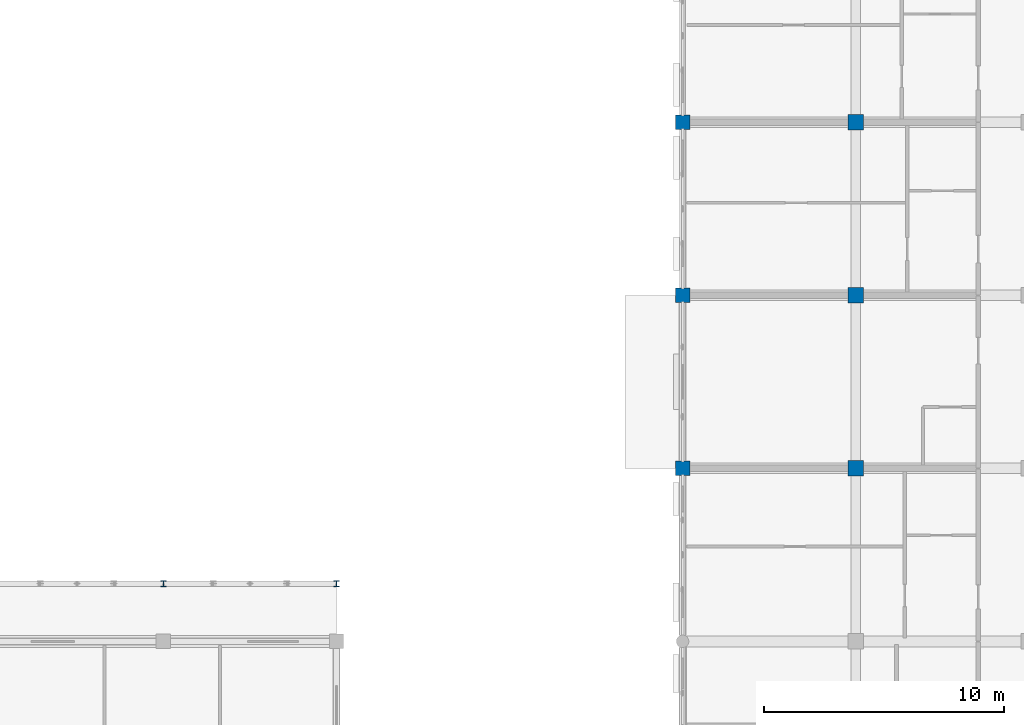
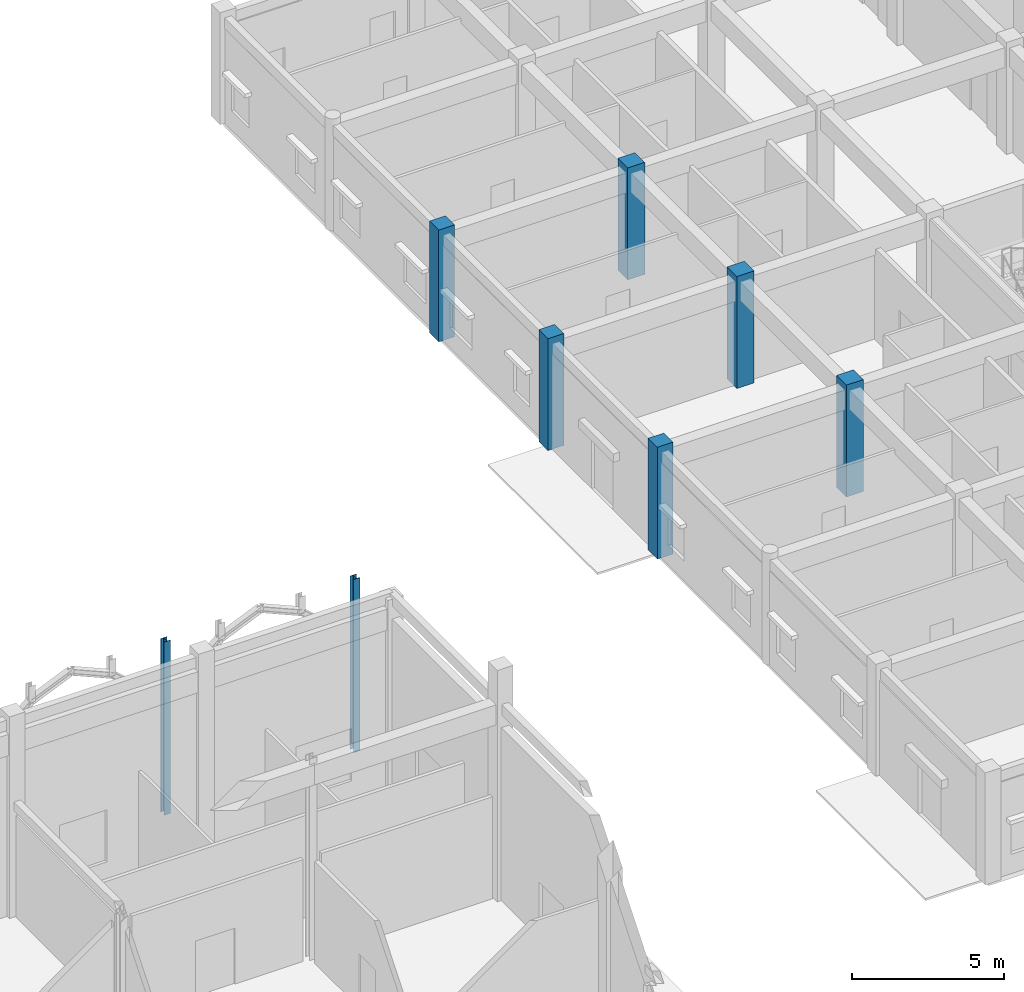
# One storey, part 12 of 138: 8 columns.
"""IFC4 building model written with IfcOpenShell, lengths in metres."""

from ifc_helpers import new_model, si_unit, direction, frame, origin, origin_2d, place, context, subcontext, project, spatial, rectangle, i_section, extrude, material, material_profile, profile_set, type_object, element, save


model = new_model("IFC4")

# Units and contexts
model_context = context("Model", 3, precision=1e-05, world=origin(), true_north=direction((0.0, 1.0)))
body_context = subcontext(model_context, "Body", "Model", "MODEL_VIEW")
ifc_project = project(units=[si_unit("LENGTHUNIT", "METRE"), si_unit("AREAUNIT", "SQUARE_METRE"), si_unit("VOLUMEUNIT", "CUBIC_METRE"), si_unit("PLANEANGLEUNIT", "RADIAN"), si_unit("MASSUNIT", "GRAM", prefix="KILO"), si_unit("THERMODYNAMICTEMPERATUREUNIT", "KELVIN"), si_unit("POWERUNIT", "WATT")], contexts=[model_context])

# Site, building, storey
site_placement = place(None, origin())
site = spatial("IfcSite", under=ifc_project, at=site_placement, CompositionType="ELEMENT")
building_placement = place(site_placement, origin())
building = spatial("IfcBuilding", under=site, at=building_placement, Name="Tavuni Mirador Residences", CompositionType="ELEMENT")
storey_placement = place(building_placement, origin())
storey = spatial("IfcBuildingStorey", under=building, at=storey_placement, Name="L00", CompositionType="ELEMENT", Elevation=0.0)

# Columns
ifc_material_1 = material(Name="Precast concrete C40/50", Category="concrete")
ifc_material_profile_1 = material_profile(ifc_material_1, rectangle(XDim=0.60009765625, YDim=0.60009765625, at=origin_2d()), Name="RC 600x600", Category="concrete")
ifc_profile_set_1 = profile_set([ifc_material_profile_1], Name="Precast concrete C40/50")
column_type_1 = type_object("IfcColumnType", Name="CT-RC600", PredefinedType="COLUMN", material=ifc_profile_set_1)
for number, where, z_axis, x_axis, name in (
    (1, (90.0, 108.0, 0.0), (0.0, 0.0, 1.0), (1.0, 0.0, 0.0), "COL-BLK-D-L00-00-03"),
    (2, (90.0, 115.199951171875, 0.0), (0.0, 0.0, 1.0), (1.0, 0.0, 0.0), "COL-BLK-D-L00-00-04"),
    (3, (90.0, 122.39990234375, 0.0), (0.0, 0.0, 1.0), (1.0, 0.0, 0.0), "COL-BLK-D-L00-00-05"),
):
    element("IfcColumn", number, at=place(storey_placement, frame(where, z_axis=z_axis, x_axis=x_axis)), inside=storey, type_object=column_type_1, Name=name, PredefinedType="COLUMN", context=body_context, shape_type="SweptSolid", body=[
        extrude(rectangle(XDim=0.60009765625, YDim=0.60009765625, at=origin_2d()), origin(), (0.0, 0.0, 1.0), 4.5),
    ])
ifc_material_2 = material(Name="In-situ concrete C35/45", Category="concrete")
ifc_material_profile_2 = material_profile(ifc_material_2, rectangle(XDim=0.64990234375, YDim=0.64990234375, at=origin_2d()), Name="RC 650x650", Category="concrete")
ifc_profile_set_2 = profile_set([ifc_material_profile_2], Name="In-situ concrete C35/45")
column_type_2 = type_object("IfcColumnType", Name="CT-RC650", PredefinedType="COLUMN", material=ifc_profile_set_2)
for number, where, z_axis, x_axis, name in (
    (4, (97.199951171875, 108.0, 0.0), (0.0, 0.0, 1.0), (1.0, 0.0, 0.0), "COL-BLK-D-L00-01-03"),
    (5, (97.199951171875, 115.199951171875, 0.0), (0.0, 0.0, 1.0), (1.0, 0.0, 0.0), "COL-BLK-D-L00-01-04"),
    (6, (97.199951171875, 122.39990234375, 0.0), (0.0, 0.0, 1.0), (1.0, 0.0, 0.0), "COL-BLK-D-L00-01-05"),
):
    element("IfcColumn", number, at=place(storey_placement, frame(where, z_axis=z_axis, x_axis=x_axis)), inside=storey, type_object=column_type_2, Name=name, PredefinedType="COLUMN", context=body_context, shape_type="SweptSolid", body=[
        extrude(rectangle(XDim=0.64990234375, YDim=0.64990234375, at=origin_2d()), origin(), (0.0, 0.0, 1.0), 4.5),
    ])
ifc_material_3 = material(Name="Structural steel S355", Category="steel")
ifc_material_profile_3 = material_profile(ifc_material_3, i_section(OverallWidth=0.239990234375, OverallDepth=0.239990234375, WebThickness=0.010009765625, FlangeThickness=0.01708984375, FilletRadius=0.02099609375, at=origin_2d()), Name="HEB 240", Category="steel")
ifc_profile_set_3 = profile_set([ifc_material_profile_3], Name="Structural steel S355")
column_type_3 = type_object("IfcColumnType", Name="CT-ST-HEB240", PredefinedType="COLUMN", material=ifc_profile_set_3)
for number, where, z_axis, x_axis, name in (
    (7, (68.39990234375, 103.199951171875, 0.0), (0.0, 0.0, 1.0), (1.0, 0.0, 0.0), "COL-HALL-EAVE-N-04"),
    (8, (75.60009765625, 103.199951171875, 0.0), (0.0, 0.0, 1.0), (1.0, 0.0, 0.0), "COL-HALL-EAVE-N-05"),
):
    element("IfcColumn", number, at=place(storey_placement, frame(where, z_axis=z_axis, x_axis=x_axis)), inside=storey, type_object=column_type_3, Name=name, PredefinedType="COLUMN", context=body_context, shape_type="SweptSolid", body=[
        extrude(i_section(OverallWidth=0.239990234375, OverallDepth=0.239990234375, WebThickness=0.010009765625, FlangeThickness=0.01708984375, FilletRadius=0.02099609375, at=origin_2d()), origin(), (0.0, 0.0, 1.0), 6.96337890625),
    ])

save(model, "model.ifc")
